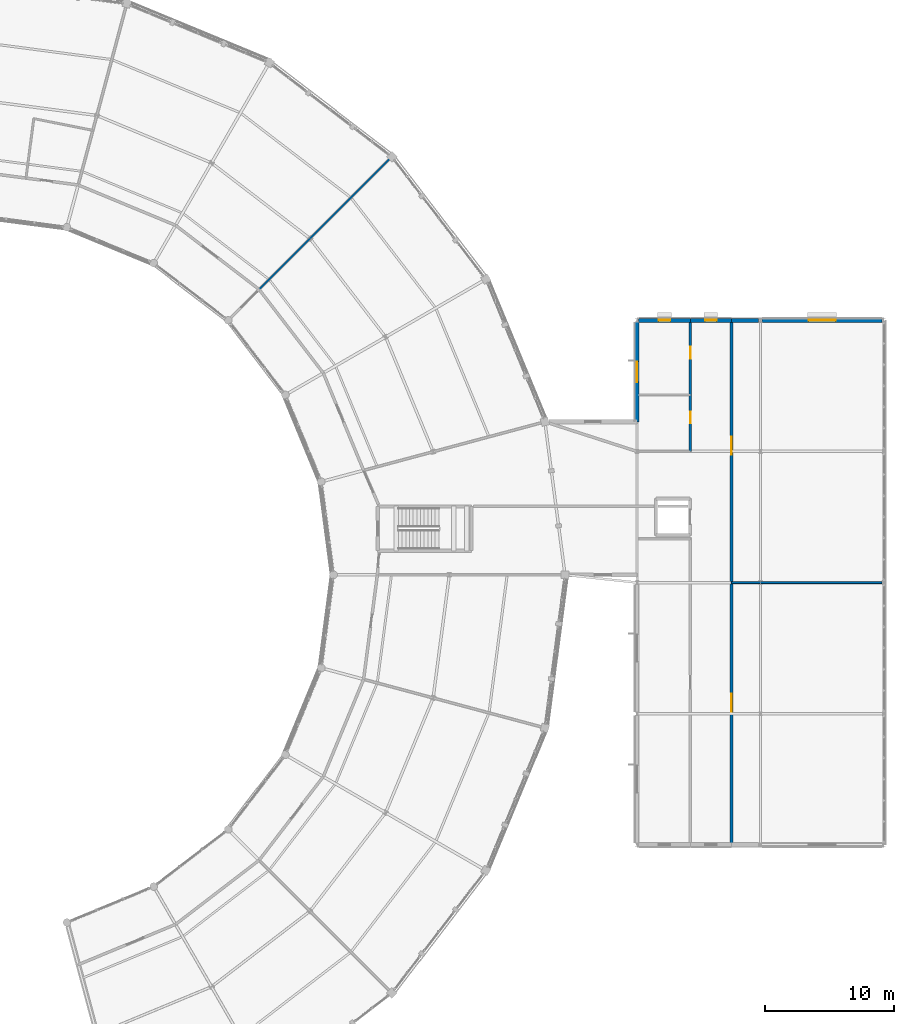
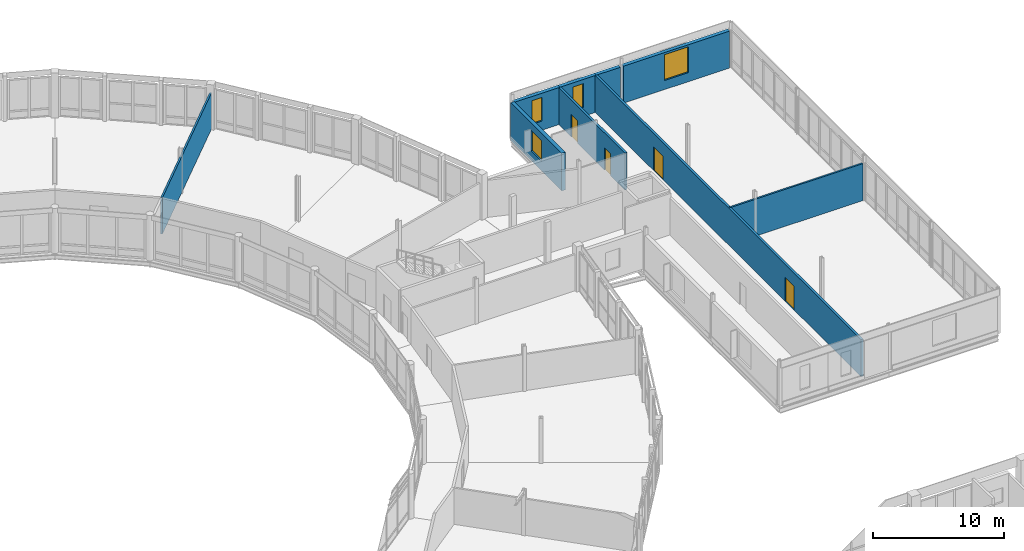
# One storey, part 149 of 170: 9 walls, 4 doors, 4 windows, 8 openings.
"""IFC4 building model written with IfcOpenShell, lengths in metres."""

from ifc_helpers import new_model, si_unit, direction, frame, frame_2d, origin, place, context, subcontext, project, spatial, rectangle, extrude, material, layer, layer_set, type_object, element, fill, save


model = new_model("IFC4")

# Units and contexts
model_context = context("Model", 3, precision=1e-05, world=origin(), true_north=direction((0.0, 1.0)))
body_context = subcontext(model_context, "Body", "Model", "MODEL_VIEW")
ifc_project = project(units=[si_unit("LENGTHUNIT", "METRE"), si_unit("AREAUNIT", "SQUARE_METRE"), si_unit("VOLUMEUNIT", "CUBIC_METRE"), si_unit("PLANEANGLEUNIT", "RADIAN"), si_unit("MASSUNIT", "GRAM", prefix="KILO")], contexts=[model_context])

# Site, building, storey
site_placement = place(None, origin())
site = spatial("IfcSite", under=ifc_project, at=site_placement, CompositionType="ELEMENT")
building_placement = place(site_placement, origin())
building = spatial("IfcBuilding", under=site, at=building_placement, Name="Vondelvale Polytechnic", CompositionType="ELEMENT")
storey_placement = place(building_placement, frame((0.0, 0.0, 5.39990234375)))
storey = spatial("IfcBuildingStorey", under=building, at=storey_placement, Name="L01", CompositionType="ELEMENT", Elevation=5.39990234375)

# Wall, opening, window
ifc_material_1 = material(Name="Amsterdam School iron-spot clinker clay brickwork", Category="masonry")
ifc_layer_1 = layer(ifc_material_1, 0.320068359375)
ifc_layer_set_1 = layer_set([ifc_layer_1], Name="WL-BRICK-320")
wall_type_1 = type_object("IfcWallType", Name="WL-BRICK-320", PredefinedType="SOLIDWALL", material=ifc_layer_set_1)
wall_1_placement = place(storey_placement, frame((153.73095703125, 91.800048828125, 0.0), z_axis=(0.0, 0.0, 1.0), x_axis=(1.0, 0.0, 0.0)))
wall_1 = element("IfcWall", 1, at=wall_1_placement, inside=storey, type_object=wall_type_1, Name="L01 exterior masonry facade wall", PredefinedType="SOLIDWALL", context=body_context, shape_type="SweptSolid", body=[
    extrude(rectangle(XDim=4.01904296875, YDim=0.320068359375, at=frame_2d((2.009521484375, 0.0))), origin(), (0.0, 0.0, 1.0), 3.440185546875),
])
opening_1_placement = place(wall_1_placement, frame((1.5595703125, 0.0, 0.85009765625)))
opening_1 = element("IfcOpeningElement", 2, at=opening_1_placement, cuts=wall_1, Name="Opening WN-0469", PredefinedType="OPENING", context=body_context, shape_type="SweptSolid", body=[
    extrude(rectangle(XDim=0.89990234375, YDim=2.199951171875, at=frame_2d((0.449951171875, 1.10009765625))), frame((0.0, 0.169921875, 0.0), z_axis=(0.0, -1.0, 0.0), x_axis=(1.0, 0.0, 0.0)), (0.0, 0.0, 1.0), 0.340087890625),
])
ifc_material_2 = material(Name="Double-glazed low-E insulated architectural glass", Category="glass")
window_type_1 = type_object("IfcWindowType", Name="WN-TUR-0900x2200", PartitioningType="SINGLE_PANEL", PredefinedType="WINDOW", material=ifc_material_2)
window_1_placement = place(opening_1_placement, origin())
window_1 = element("IfcWindow", 3, at=window_1_placement, inside=storey, type_object=window_type_1, Name="L01 double-glazed architectural window WN-0469", OverallHeight=2.199951171875, OverallWidth=0.89990234375, PartitioningType="SINGLE_PANEL", PredefinedType="WINDOW", context=body_context, shape_type="SweptSolid", body=[
    extrude(rectangle(XDim=0.89990234375, YDim=2.199951171875, at=frame_2d((0.449951171875, 1.10009765625))), frame((0.0, 0.030029296875, 0.0), z_axis=(0.0, -1.0, 0.0), x_axis=(1.0, 0.0, 0.0)), (0.0, 0.0, 1.0), 0.06005859375),
])
fill(opening_1, window_1)

wall_2_placement = place(storey_placement, frame((157.75, 91.800048828125, 0.0), z_axis=(0.0, 0.0, 1.0), x_axis=(1.0, 0.0, 0.0)))
wall_2 = element("IfcWall", 4, at=wall_2_placement, inside=storey, type_object=wall_type_1, Name="L01 exterior masonry facade wall", PredefinedType="SOLIDWALL", context=body_context, shape_type="SweptSolid", body=[
    extrude(rectangle(XDim=3.199951171875, YDim=0.320068359375, at=frame_2d((1.60009765625, 0.0))), origin(), (0.0, 0.0, 1.0), 3.440185546875),
])
opening_2_placement = place(wall_2_placement, frame((1.14990234375, 0.0, 0.85009765625)))
opening_2 = element("IfcOpeningElement", 5, at=opening_2_placement, cuts=wall_2, Name="Opening WN-0470", PredefinedType="OPENING", context=body_context, shape_type="SweptSolid", body=[
    extrude(rectangle(XDim=0.89990234375, YDim=2.199951171875, at=frame_2d((0.449951171875, 1.10009765625))), frame((0.0, 0.169921875, 0.0), z_axis=(0.0, -1.0, 0.0), x_axis=(1.0, 0.0, 0.0)), (0.0, 0.0, 1.0), 0.340087890625),
])
window_2_placement = place(opening_2_placement, origin())
window_2 = element("IfcWindow", 6, at=window_2_placement, inside=storey, type_object=window_type_1, Name="L01 double-glazed architectural window WN-0470", OverallHeight=2.199951171875, OverallWidth=0.89990234375, PartitioningType="SINGLE_PANEL", PredefinedType="WINDOW", context=body_context, shape_type="SweptSolid", body=[
    extrude(rectangle(XDim=0.89990234375, YDim=2.199951171875, at=frame_2d((0.449951171875, 1.10009765625))), frame((0.0, 0.030029296875, 0.0), z_axis=(0.0, -1.0, 0.0), x_axis=(1.0, 0.0, 0.0)), (0.0, 0.0, 1.0), 0.06005859375),
])
fill(opening_2, window_2)

# Wall
wall_3_placement = place(storey_placement, frame((160.949951171875, 91.800048828125, 0.0), z_axis=(0.0, 0.0, 1.0), x_axis=(1.0, 0.0, 0.0)))
element("IfcWall", 7, at=wall_3_placement, inside=storey, type_object=wall_type_1, Name="L01 exterior masonry facade wall", PredefinedType="SOLIDWALL", context=body_context, shape_type="SweptSolid", body=[
    extrude(rectangle(XDim=2.119140625, YDim=0.320068359375, at=frame_2d((1.0595703125, 0.0))), origin(), (0.0, 0.0, 1.0), 3.440185546875),
])

# Wall, opening, window
wall_4_placement = place(storey_placement, frame((163.3310546875, 91.800048828125, 0.0), z_axis=(0.0, 0.0, 1.0), x_axis=(1.0, 0.0, 0.0)))
wall_4 = element("IfcWall", 8, at=wall_4_placement, inside=storey, type_object=wall_type_1, Name="L01 exterior masonry facade wall", PredefinedType="SOLIDWALL", context=body_context, shape_type="SweptSolid", body=[
    extrude(rectangle(XDim=9.337890625, YDim=0.320068359375, at=frame_2d((4.6689453125, 0.0))), origin(), (0.0, 0.0, 1.0), 3.440185546875),
])
opening_3_placement = place(wall_4_placement, frame((3.618896484375, 0.0, 0.85009765625)))
opening_3 = element("IfcOpeningElement", 9, at=opening_3_placement, cuts=wall_4, Name="Opening WN-0471", PredefinedType="OPENING", context=body_context, shape_type="SweptSolid", body=[
    extrude(rectangle(XDim=2.10009765625, YDim=2.39990234375, at=frame_2d((1.050048828125, 1.199951171875))), frame((0.0, 0.169921875, 0.0), z_axis=(0.0, -1.0, 0.0), x_axis=(1.0, 0.0, 0.0)), (0.0, 0.0, 1.0), 0.340087890625),
])
window_type_2 = type_object("IfcWindowType", Name="WN-STUDIO-2100x2400", PartitioningType="SINGLE_PANEL", PredefinedType="WINDOW", material=ifc_material_2)
window_3_placement = place(opening_3_placement, origin())
window_3 = element("IfcWindow", 10, at=window_3_placement, inside=storey, type_object=window_type_2, Name="L01 double-glazed architectural window WN-0471", OverallHeight=2.39990234375, OverallWidth=2.10009765625, PartitioningType="SINGLE_PANEL", PredefinedType="WINDOW", context=body_context, shape_type="SweptSolid", body=[
    extrude(rectangle(XDim=2.10009765625, YDim=2.39990234375, at=frame_2d((1.050048828125, 1.199951171875))), frame((0.0, 0.030029296875, 0.0), z_axis=(0.0, -1.0, 0.0), x_axis=(1.0, 0.0, 0.0)), (0.0, 0.0, 1.0), 0.06005859375),
])
fill(opening_3, window_3)

wall_5_placement = place(storey_placement, frame((153.60009765625, 83.90576171875, 0.0), z_axis=(0.0, 0.0, 1.0), x_axis=(0.0, 1.0, 0.0)))
wall_5 = element("IfcWall", 11, at=wall_5_placement, inside=storey, type_object=wall_type_1, Name="L01 exterior masonry facade wall", PredefinedType="SOLIDWALL", context=body_context, shape_type="SweptSolid", body=[
    extrude(rectangle(XDim=7.76318359375, YDim=0.320068359375, at=frame_2d((3.881591796875, 0.0))), origin(), (0.0, 0.0, 1.0), 3.494140625),
])
opening_4_placement = place(wall_5_placement, frame((3.08154296875, 0.0, 0.89990234375)))
opening_4 = element("IfcOpeningElement", 12, at=opening_4_placement, cuts=wall_5, Name="Opening WN-0477", PredefinedType="OPENING", context=body_context, shape_type="SweptSolid", body=[
    extrude(rectangle(XDim=1.60009765625, YDim=1.89990234375, at=frame_2d((0.800048828125, 0.949951171875))), frame((0.0, 0.169921875, 0.0), z_axis=(0.0, -1.0, 0.0), x_axis=(1.0, 0.0, 0.0)), (0.0, 0.0, 1.0), 0.340087890625),
])
window_type_3 = type_object("IfcWindowType", Name="WN-SEM-1600x1900", PartitioningType="SINGLE_PANEL", PredefinedType="WINDOW", material=ifc_material_2)
window_4_placement = place(opening_4_placement, origin())
window_4 = element("IfcWindow", 13, at=window_4_placement, inside=storey, type_object=window_type_3, Name="L01 double-glazed architectural window WN-0477", OverallHeight=1.89990234375, OverallWidth=1.60009765625, PartitioningType="SINGLE_PANEL", PredefinedType="WINDOW", context=body_context, shape_type="SweptSolid", body=[
    extrude(rectangle(XDim=1.60009765625, YDim=1.89990234375, at=frame_2d((0.800048828125, 0.949951171875))), frame((0.0, 0.030029296875, 0.0), z_axis=(0.0, -1.0, 0.0), x_axis=(1.0, 0.0, 0.0)), (0.0, 0.0, 1.0), 0.06005859375),
])
fill(opening_4, window_4)

# Wall, openings, doors
ifc_material_3 = material(Name="Fire-rated double-layer plasterboard stud partition")
ifc_layer_2 = layer(ifc_material_3, 0.199951171875)
ifc_layer_set_2 = layer_set([ifc_layer_2], Name="WL-CORR-200")
wall_type_2 = type_object("IfcWallType", Name="WL-CORR-200", PredefinedType="PARTITIONING", material=ifc_layer_set_2)
wall_6_placement = place(storey_placement, frame((160.949951171875, 51.14990234375, 0.0), z_axis=(0.0, 0.0, 1.0), x_axis=(0.0, 1.0, 0.0)))
wall_6 = element("IfcWall", 14, at=wall_6_placement, inside=storey, type_object=wall_type_2, Name="L01 interior acoustic partition", PredefinedType="PARTITIONING", context=body_context, shape_type="SweptSolid", body=[
    extrude(rectangle(XDim=40.5, YDim=0.199951171875, at=frame_2d((20.25, 0.0))), origin(), (0.0, 0.0, 1.0), 3.440185546875),
])
opening_5_placement = place(wall_6_placement, frame((10.199951171875, 0.0, 0.0)))
opening_5 = element("IfcOpeningElement", 15, at=opening_5_placement, cuts=wall_6, Name="Opening ID-0306", PredefinedType="OPENING", context=body_context, shape_type="SweptSolid", body=[
    extrude(rectangle(XDim=1.39990234375, YDim=2.199951171875, at=frame_2d((0.699951171875, 1.10009765625))), frame((0.0, 0.10986328125, 0.0), z_axis=(0.0, -1.0, 0.0), x_axis=(1.0, 0.0, 0.0)), (0.0, 0.0, 1.0), 0.219970703125),
])
opening_6_placement = place(wall_6_placement, frame((30.199951171875, 0.0, 0.0)))
opening_6 = element("IfcOpeningElement", 16, at=opening_6_placement, cuts=wall_6, Name="Opening ID-0307", PredefinedType="OPENING", context=body_context, shape_type="SweptSolid", body=[
    extrude(rectangle(XDim=1.39990234375, YDim=2.199951171875, at=frame_2d((0.699951171875, 1.10009765625))), frame((0.0, 0.10986328125, 0.0), z_axis=(0.0, -1.0, 0.0), x_axis=(1.0, 0.0, 0.0)), (0.0, 0.0, 1.0), 0.219970703125),
])
ifc_material_4 = material(Name="Fire-rated solid Tasmanian oak joinery")
door_type_1 = type_object("IfcDoorType", Name="DR-LAB-1400x2200", OperationType="DOUBLE_DOOR_SINGLE_SWING", PredefinedType="DOOR", material=ifc_material_4)
door_1_placement = place(opening_5_placement, origin())
door_1 = element("IfcDoor", 17, at=door_1_placement, inside=storey, type_object=door_type_1, Name="L01 interior room door ID-0306", OperationType="DOUBLE_DOOR_SINGLE_SWING", OverallHeight=2.199951171875, OverallWidth=1.39990234375, PredefinedType="DOOR", context=body_context, shape_type="SweptSolid", body=[
    extrude(rectangle(XDim=1.39990234375, YDim=2.199951171875, at=frame_2d((0.699951171875, 1.10009765625))), frame((0.0, 0.02490234375, 0.0), z_axis=(0.0, -1.0, 0.0), x_axis=(1.0, 0.0, 0.0)), (0.0, 0.0, 1.0), 0.050048828125),
])
fill(opening_5, door_1)
door_2_placement = place(opening_6_placement, origin())
door_2 = element("IfcDoor", 18, at=door_2_placement, inside=storey, type_object=door_type_1, Name="L01 interior room door ID-0307", OperationType="DOUBLE_DOOR_SINGLE_SWING", OverallHeight=2.199951171875, OverallWidth=1.39990234375, PredefinedType="DOOR", context=body_context, shape_type="SweptSolid", body=[
    extrude(rectangle(XDim=1.39990234375, YDim=2.199951171875, at=frame_2d((0.699951171875, 1.10009765625))), frame((0.0, 0.02490234375, 0.0), z_axis=(0.0, -1.0, 0.0), x_axis=(1.0, 0.0, 0.0)), (0.0, 0.0, 1.0), 0.050048828125),
])
fill(opening_6, door_2)

wall_7_placement = place(storey_placement, frame((157.75, 81.60009765625, 0.0), z_axis=(0.0, 0.0, 1.0), x_axis=(0.0, 1.0, 0.0)))
wall_7 = element("IfcWall", 19, at=wall_7_placement, inside=storey, type_object=wall_type_2, Name="L01 interior acoustic partition", PredefinedType="PARTITIONING", context=body_context, shape_type="SweptSolid", body=[
    extrude(rectangle(XDim=10.0498046875, YDim=0.199951171875, at=frame_2d((5.02490234375, 0.0))), origin(), (0.0, 0.0, 1.0), 3.440185546875),
])
opening_7_placement = place(wall_7_placement, frame((2.199951171875, 0.0, 0.0)))
opening_7 = element("IfcOpeningElement", 20, at=opening_7_placement, cuts=wall_7, Name="Opening ID-0309", PredefinedType="OPENING", context=body_context, shape_type="SweptSolid", body=[
    extrude(rectangle(XDim=0.89990234375, YDim=2.050048828125, at=frame_2d((0.449951171875, 1.02490234375))), frame((0.0, 0.10986328125, 0.0), z_axis=(0.0, -1.0, 0.0), x_axis=(1.0, 0.0, 0.0)), (0.0, 0.0, 1.0), 0.219970703125),
])
opening_8_placement = place(wall_7_placement, frame((7.199951171875, 0.0, 0.0)))
opening_8 = element("IfcOpeningElement", 21, at=opening_8_placement, cuts=wall_7, Name="Opening ID-0310", PredefinedType="OPENING", context=body_context, shape_type="SweptSolid", body=[
    extrude(rectangle(XDim=0.949951171875, YDim=2.10009765625, at=frame_2d((0.47509765625, 1.050048828125))), frame((0.0, 0.10986328125, 0.0), z_axis=(0.0, -1.0, 0.0), x_axis=(1.0, 0.0, 0.0)), (0.0, 0.0, 1.0), 0.219970703125),
])
door_type_2 = type_object("IfcDoorType", Name="DR-INT-0950x2100", OperationType="SINGLE_SWING_LEFT", PredefinedType="DOOR", material=ifc_material_4)
door_3_placement = place(opening_8_placement, origin())
door_3 = element("IfcDoor", 22, at=door_3_placement, inside=storey, type_object=door_type_2, Name="L01 interior room door ID-0310", OperationType="SINGLE_SWING_RIGHT", OverallHeight=2.10009765625, OverallWidth=0.949951171875, PredefinedType="DOOR", context=body_context, shape_type="SweptSolid", body=[
    extrude(rectangle(XDim=0.949951171875, YDim=2.10009765625, at=frame_2d((0.47509765625, 1.050048828125))), frame((0.0, 0.02490234375, 0.0), z_axis=(0.0, -1.0, 0.0), x_axis=(1.0, 0.0, 0.0)), (0.0, 0.0, 1.0), 0.050048828125),
])
fill(opening_8, door_3)
door_type_3 = type_object("IfcDoorType", Name="DR-WC-0900x2050", OperationType="SINGLE_SWING_RIGHT", PredefinedType="DOOR", material=ifc_material_4)
door_4_placement = place(opening_7_placement, origin())
door_4 = element("IfcDoor", 23, at=door_4_placement, inside=storey, type_object=door_type_3, Name="L01 interior room door ID-0309", OperationType="SINGLE_SWING_LEFT", OverallHeight=2.050048828125, OverallWidth=0.89990234375, PredefinedType="DOOR", context=body_context, shape_type="SweptSolid", body=[
    extrude(rectangle(XDim=0.89990234375, YDim=2.050048828125, at=frame_2d((0.449951171875, 1.02490234375))), frame((0.0, 0.02490234375, 0.0), z_axis=(0.0, -1.0, 0.0), x_axis=(1.0, 0.0, 0.0)), (0.0, 0.0, 1.0), 0.050048828125),
])
fill(opening_7, door_4)

# Walls
ifc_layer_3 = layer(ifc_material_3, 0.14990234375)
ifc_layer_set_3 = layer_set([ifc_layer_3], Name="WL-INT-150")
wall_type_3 = type_object("IfcWallType", Name="WL-INT-150", PredefinedType="PARTITIONING", material=ifc_layer_set_3)
wall_8_placement = place(storey_placement, frame((160.949951171875, 71.39990234375, 0.0), z_axis=(0.0, 0.0, 1.0), x_axis=(1.0, 0.0, 0.0)))
element("IfcWall", 24, at=wall_8_placement, inside=storey, type_object=wall_type_3, Name="L01 interior acoustic partition", PredefinedType="PARTITIONING", context=body_context, shape_type="SweptSolid", body=[
    extrude(rectangle(XDim=11.699951171875, YDim=0.14990234375, at=frame_2d((5.85009765625, 0.0))), origin(), (0.0, 0.0, 1.0), 3.440185546875),
])
wall_9_placement = place(storey_placement, frame((124.203125, 94.203125, 0.0), z_axis=(0.0, 0.0, 1.0), x_axis=(0.707106781187, 0.707106781187, 0.0)))
element("IfcWall", 25, at=wall_9_placement, inside=storey, type_object=wall_type_3, Name="L01 interior acoustic partition", PredefinedType="PARTITIONING", context=body_context, shape_type="SweptSolid", body=[
    extrude(rectangle(XDim=14.480224609375, YDim=0.14990234375, at=frame_2d((7.240234375, 0.0))), origin(), (0.0, 0.0, 1.0), 3.3671875),
])

save(model, "model.ifc")
